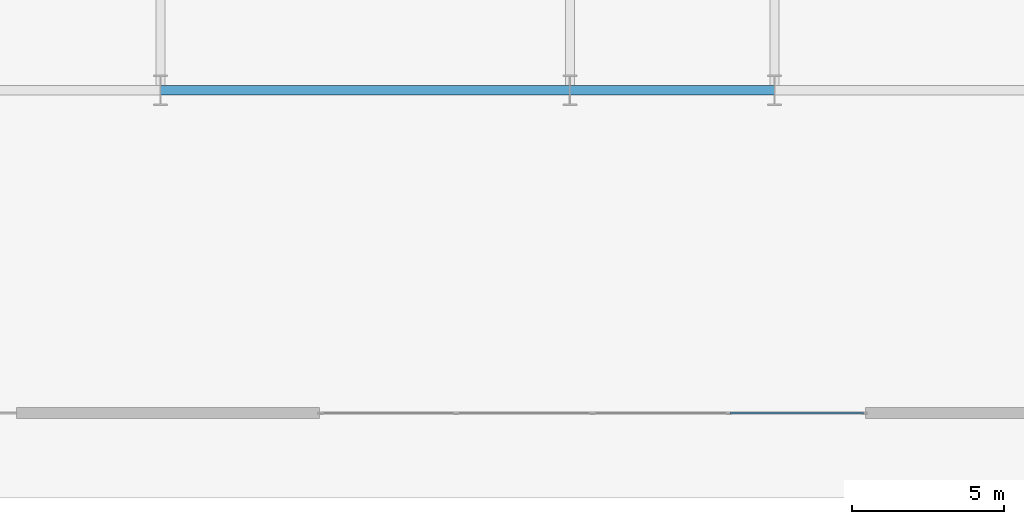
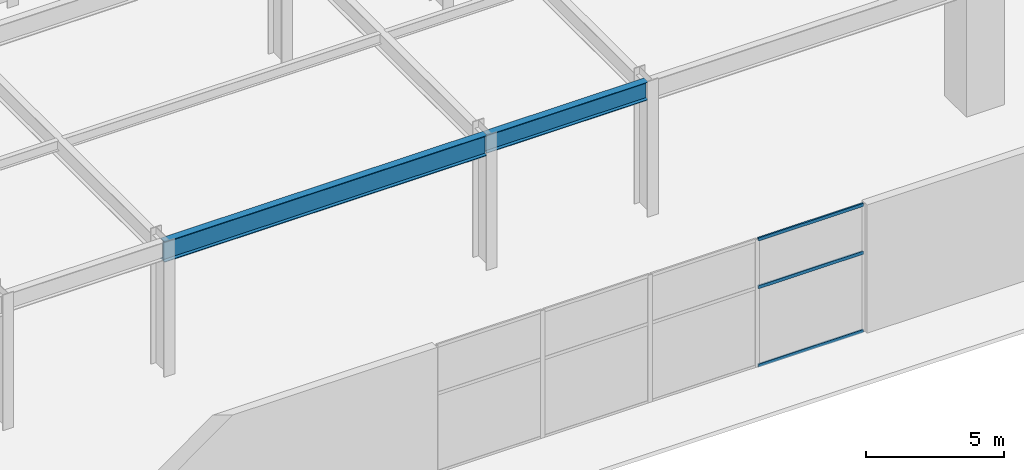
# One storey, part 5 of 30: 3 members, 2 beams, 1 element without a shape of its own.
"""IFC4 building model written with IfcOpenShell, lengths in metres."""

from ifc_helpers import new_model, si_unit, direction, frame, origin, origin_2d, place, context, subcontext, project, spatial, hollow_rectangle, i_section, extrude, material, layer, layer_set, material_profile, profile_set, type_object, element, aggregate, save


model = new_model("IFC4")

# Units and contexts
model_context = context("Model", 3, precision=1e-05, world=origin(), true_north=direction((0.0, 1.0)))
body_context = subcontext(model_context, "Body", "Model", "MODEL_VIEW")
ifc_project = project(units=[si_unit("LENGTHUNIT", "METRE"), si_unit("AREAUNIT", "SQUARE_METRE"), si_unit("VOLUMEUNIT", "CUBIC_METRE"), si_unit("PLANEANGLEUNIT", "RADIAN"), si_unit("MASSUNIT", "GRAM", prefix="KILO")], contexts=[model_context])

# Site, building, storey
site_placement = place(None, origin())
site = spatial("IfcSite", under=ifc_project, at=site_placement, CompositionType="ELEMENT")
building_placement = place(site_placement, origin())
building = spatial("IfcBuilding", under=site, at=building_placement, Name="Haevon Station Towers", CompositionType="ELEMENT")
storey_placement = place(building_placement, origin())
storey = spatial("IfcBuildingStorey", under=building, at=storey_placement, Name="L00", CompositionType="ELEMENT", Elevation=0.0)

# Beams
ifc_material_1 = material(Name="Steel S355", Category="steel")
ifc_material_profile_1 = material_profile(ifc_material_1, i_section(OverallWidth=0.300048828125, OverallDepth=0.800048828125, WebThickness=0.013916015625, FlangeThickness=0.02587890625, at=origin_2d()), Name="H-800x300x14x26")
ifc_profile_set_1 = profile_set([ifc_material_profile_1], Name="Steel S355")
beam_type_1 = type_object("IfcBeamType", Name="BM-PG800", PredefinedType="BEAM", material=ifc_profile_set_1)
beam_1_placement = place(storey_placement, frame((44.25, 15.14990234375, 5.300048828125), z_axis=(1.0, 0.0, 0.0), x_axis=(0.0, 1.0, 0.0)))
element("IfcBeam", 1, at=beam_1_placement, inside=storey, type_object=beam_type_1, Name="BM-T1X-L00-01-05", PredefinedType="BEAM", context=body_context, shape_type="SweptSolid", body=[
    extrude(i_section(OverallWidth=0.300048828125, OverallDepth=0.800048828125, WebThickness=0.013916015625, FlangeThickness=0.02587890625, at=origin_2d()), origin(), (0.0, 0.0, 1.0), 6.75),
])
ifc_material_profile_2 = material_profile(ifc_material_1, i_section(OverallWidth=0.300048828125, OverallDepth=0.89990234375, WebThickness=0.01611328125, FlangeThickness=0.028076171875, at=origin_2d()), Name="H-900x300x16x28")
ifc_profile_set_2 = profile_set([ifc_material_profile_2], Name="Steel S355")
beam_type_2 = type_object("IfcBeamType", Name="BM-PG900", PredefinedType="BEAM", material=ifc_profile_set_2)
beam_2_placement = place(storey_placement, frame((30.75, 15.14990234375, 5.25), z_axis=(1.0, 0.0, 0.0), x_axis=(0.0, 1.0, 0.0)))
element("IfcBeam", 2, at=beam_2_placement, inside=storey, type_object=beam_type_2, Name="BM-T1X-L00-01-03", PredefinedType="BEAM", context=body_context, shape_type="SweptSolid", body=[
    extrude(i_section(OverallWidth=0.300048828125, OverallDepth=0.89990234375, WebThickness=0.01611328125, FlangeThickness=0.028076171875, at=origin_2d()), origin(), (0.0, 0.0, 1.0), 13.5),
])

# Curtain wall, members
ifc_material_2 = material(Name="Anodised aluminium and Low-E double glazing", Category="aluminium")
ifc_layer = layer(ifc_material_2, 0.179931640625)
ifc_layer_set = layer_set([ifc_layer], Name="Anodised aluminium and Low-E double glazing")
curtain_wall_type = type_object("IfcCurtainWallType", Name="CW-SYS1", PredefinedType="NOTDEFINED", material=ifc_layer_set)
curtain_wall_placement = place(storey_placement, origin())
curtain_wall = element("IfcCurtainWall", 3, at=curtain_wall_placement, inside=storey, type_object=curtain_wall_type, Name="L00 Curtain Wall CW-POD-L00-S2", PredefinedType="NOTDEFINED")
ifc_material_3 = material(Name="Anodised aluminium 6063-T6", Category="aluminium")
ifc_material_profile_3 = material_profile(ifc_material_3, hollow_rectangle(XDim=0.06494140625, YDim=0.139892578125, WallThickness=0.00341796875, at=origin_2d()), Name="CWT-140x65x3.5")
ifc_profile_set_3 = profile_set([ifc_material_profile_3], Name="Anodised aluminium 6063-T6")
member_type = type_object("IfcMemberType", Name="CWT-140", PredefinedType="USERDEFINED", material=ifc_profile_set_3)
member_1_placement = place(storey_placement, frame((53.93505859375, 4.5, 0.032470703125), z_axis=(-1.0, 0.0, 0.0), x_axis=(0.0, -1.0, 0.0)))
member_1 = element("IfcMember", 4, at=member_1_placement, type_object=member_type, Name="CW-SYS1 transom 1.1", ObjectType="TRANSOM", PredefinedType="USERDEFINED", context=body_context, shape_type="SweptSolid", body=[
    extrude(hollow_rectangle(XDim=0.06494140625, YDim=0.139892578125, WallThickness=0.00341796875, at=origin_2d()), origin(), (0.0, 0.0, 1.0), 4.402587890625),
])
member_2_placement = place(storey_placement, frame((53.93505859375, 4.5, 3.5029296875), z_axis=(-1.0, 0.0, 0.0), x_axis=(0.0, -1.0, 0.0)))
member_2 = element("IfcMember", 5, at=member_2_placement, type_object=member_type, Name="CW-SYS1 transom 1.2", ObjectType="TRANSOM", PredefinedType="USERDEFINED", context=body_context, shape_type="SweptSolid", body=[
    extrude(hollow_rectangle(XDim=0.06494140625, YDim=0.139892578125, WallThickness=0.00341796875, at=origin_2d()), origin(), (0.0, 0.0, 1.0), 4.402587890625),
])
member_3_placement = place(storey_placement, frame((53.93505859375, 4.5, 5.617431640625), z_axis=(-1.0, 0.0, 0.0), x_axis=(0.0, -1.0, 0.0)))
member_3 = element("IfcMember", 6, at=member_3_placement, type_object=member_type, Name="CW-SYS1 transom 1.3", ObjectType="TRANSOM", PredefinedType="USERDEFINED", context=body_context, shape_type="SweptSolid", body=[
    extrude(hollow_rectangle(XDim=0.06494140625, YDim=0.139892578125, WallThickness=0.00341796875, at=origin_2d()), origin(), (0.0, 0.0, 1.0), 4.402587890625),
])
aggregate(curtain_wall, [member_1, member_2, member_3])

save(model, "model.ifc")
